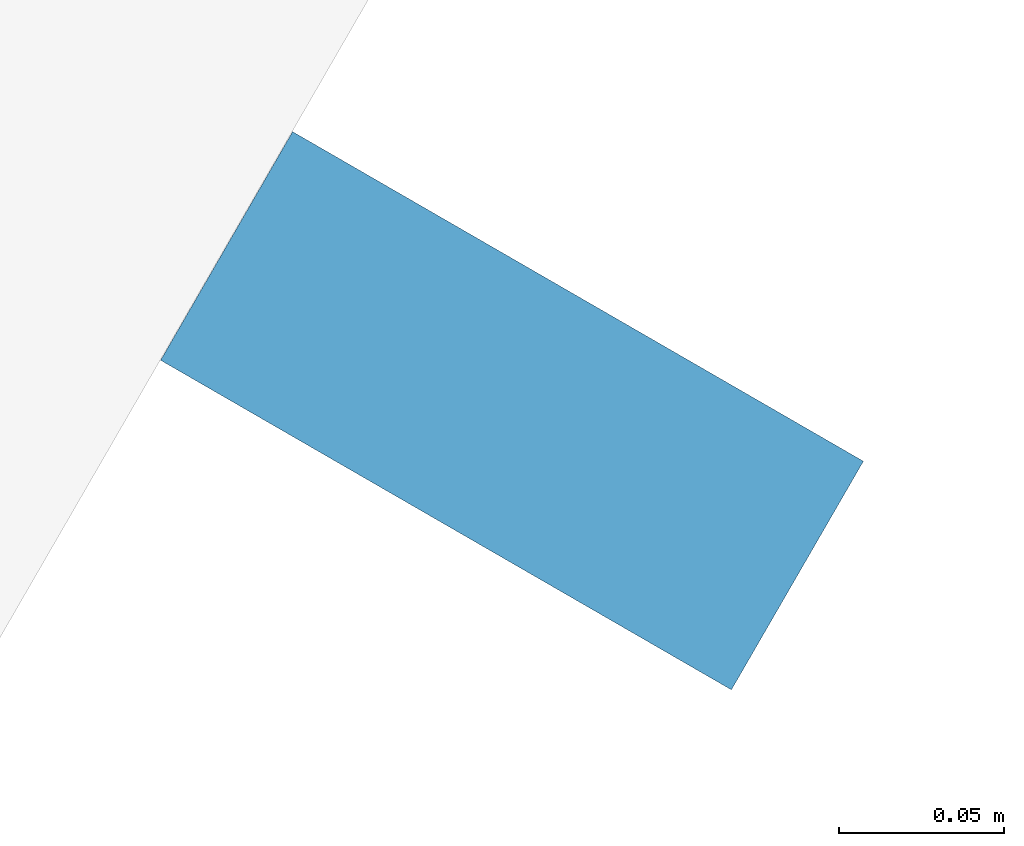
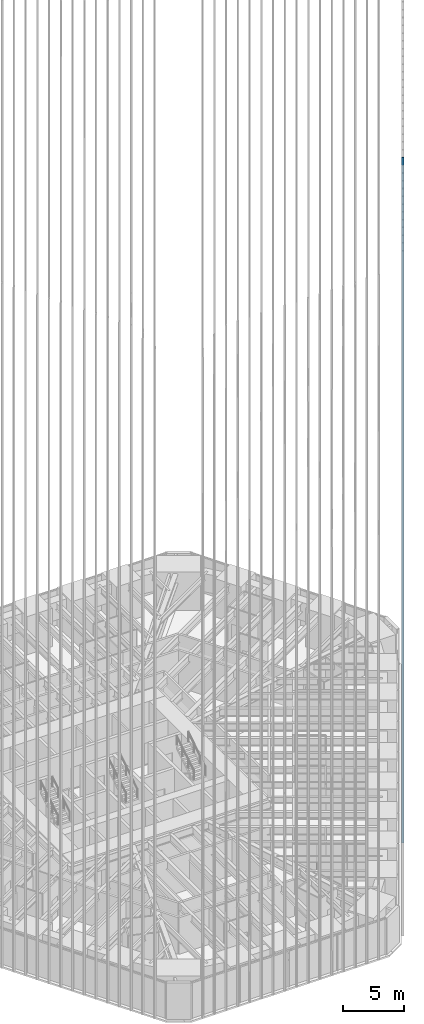
# One storey, part 99 of 256: 1 member, 1 element without a shape of its own.
"""IFC4 building model written with IfcOpenShell, lengths in metres."""

from ifc_helpers import new_model, si_unit, direction, frame, origin, origin_2d, place, context, subcontext, project, spatial, rectangle, extrude, material, material_profile, profile_set, type_object, element, aggregate, save


model = new_model("IFC4")

# Units and contexts
model_context = context("Model", 3, precision=1e-05, world=origin(), true_north=direction((0.0, 1.0)))
body_context = subcontext(model_context, "Body", "Model", "MODEL_VIEW")
ifc_project = project(units=[si_unit("LENGTHUNIT", "METRE"), si_unit("AREAUNIT", "SQUARE_METRE"), si_unit("VOLUMEUNIT", "CUBIC_METRE"), si_unit("PLANEANGLEUNIT", "RADIAN"), si_unit("MASSUNIT", "GRAM", prefix="KILO")], contexts=[model_context])

# Site, building, storey
site_placement = place(None, origin())
site = spatial("IfcSite", under=ifc_project, at=site_placement, CompositionType="ELEMENT")
building_placement = place(site_placement, origin())
building = spatial("IfcBuilding", under=site, at=building_placement, Name="Sandreach Pilgrim Tower", CompositionType="ELEMENT")
storey_placement = place(building_placement, frame((0.0, 0.0, 23.0)))
storey = spatial("IfcBuildingStorey", under=building, at=storey_placement, Name="L04", CompositionType="ELEMENT", Elevation=23.0)

# Curtain wall, member
ifc_material_1 = material(Name="Aluminium framed curtain wall", Category="aluminium")
curtain_wall_type = type_object("IfcCurtainWallType", Name="Hostel tower curtain wall", PredefinedType="NOTDEFINED", material=ifc_material_1)
curtain_wall_placement = place(storey_placement, origin())
curtain_wall = element("IfcCurtainWall", 1, at=curtain_wall_placement, inside=storey, type_object=curtain_wall_type, Name="CW-1 L04 SE", PredefinedType="NOTDEFINED")
ifc_material_2 = material(Name="Extruded terracotta on aluminium core", Category="masonry")
ifc_material_profile = material_profile(ifc_material_2, rectangle(XDim=0.080078125, YDim=0.199951171875, at=origin_2d()), Name="TBE 80X200")
ifc_profile_set = profile_set([ifc_material_profile], Name="Extruded terracotta on aluminium core")
member_type = type_object("IfcMemberType", Name="Terracotta baguette east", PredefinedType="USERDEFINED", material=ifc_profile_set)
member_placement = place(storey_placement, frame((18.322265625, -16.96240234375, 0.0), z_axis=(0.0, 0.0, 1.0), x_axis=(-0.5, -0.866025403784, 0.0)))
member = element("IfcMember", 2, at=member_placement, type_object=member_type, Name="Baguette Z1 SE23", ObjectType="BAGUETTE", PredefinedType="USERDEFINED", context=body_context, shape_type="SweptSolid", body=[
    extrude(rectangle(XDim=0.080078125, YDim=0.199951171875, at=origin_2d()), origin(), (0.0, 0.0, 1.0), 68.239990234375),
])
aggregate(curtain_wall, [member])

save(model, "model.ifc")
